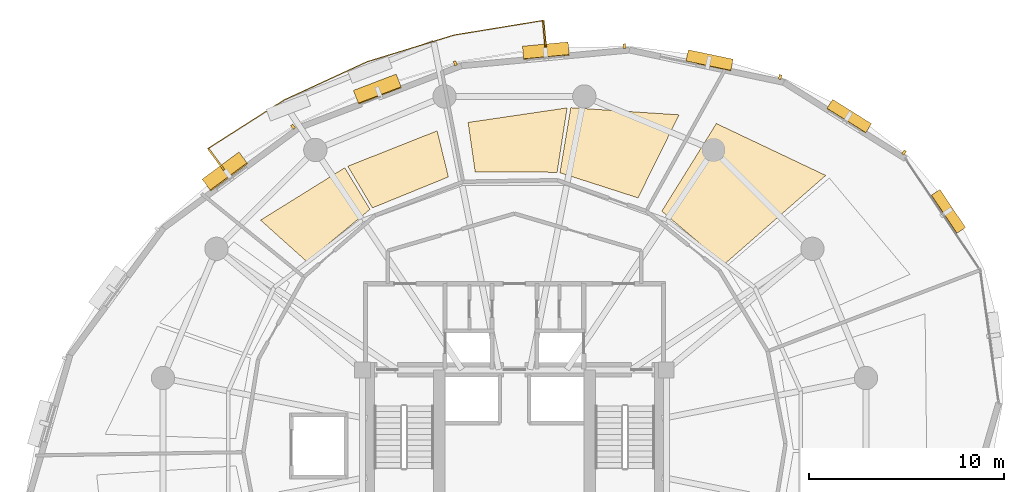
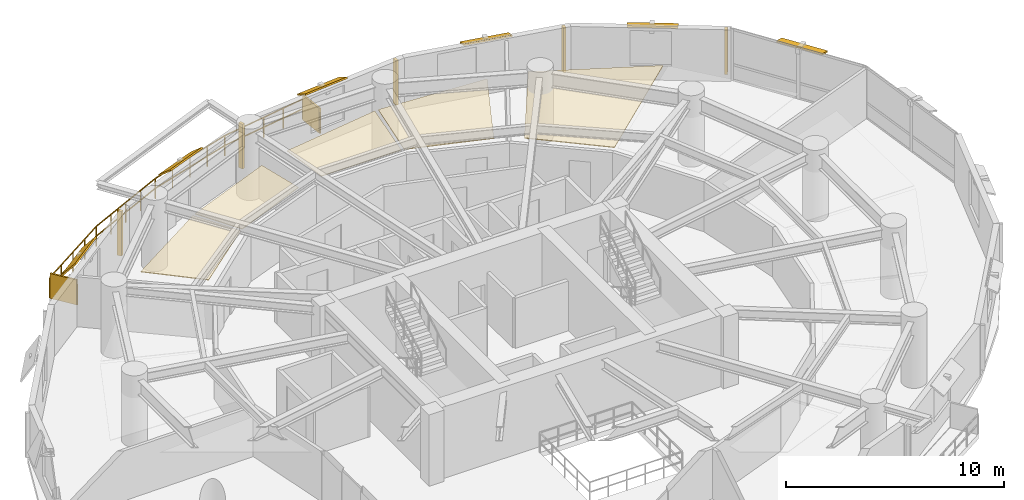
# One storey, part 15 of 15: 13 shading devices, 5 coverings, 1 railing.
"""IFC4 building model written with IfcOpenShell, lengths in metres."""

from ifc_helpers import new_model, si_unit, direction, frame, origin, origin_2d, place, context, subcontext, project, spatial, polyline, rectangle, outline, extrude, material, layer, layer_set, type_object, element, save


model = new_model("IFC4")

# Units and contexts
model_context = context("Model", 3, precision=1e-05, world=origin(), true_north=direction((0.0, 1.0)))
body_context = subcontext(model_context, "Body", "Model", "MODEL_VIEW")
ifc_project = project(units=[si_unit("LENGTHUNIT", "METRE"), si_unit("AREAUNIT", "SQUARE_METRE"), si_unit("VOLUMEUNIT", "CUBIC_METRE"), si_unit("PLANEANGLEUNIT", "RADIAN"), si_unit("MASSUNIT", "GRAM", prefix="KILO"), si_unit("THERMODYNAMICTEMPERATUREUNIT", "KELVIN"), si_unit("POWERUNIT", "WATT")], contexts=[model_context])

# Site, building, storey
site_placement = place(None, origin())
site = spatial("IfcSite", under=ifc_project, at=site_placement, CompositionType="ELEMENT")
building_placement = place(site_placement, origin())
building = spatial("IfcBuilding", under=site, at=building_placement, Name="Ocrelia Relay Tower", CompositionType="ELEMENT")
storey_placement = place(building_placement, frame((0.0, 0.0, 121.800048828125)))
storey = spatial("IfcBuildingStorey", under=building, at=storey_placement, Name="L28", CompositionType="ELEMENT", Elevation=121.800048828125)

# Coverings
ifc_material_1 = material(Name="Mineral-fiber acoustic ceiling tile", Category="gypsum")
ifc_layer_1 = layer(ifc_material_1, 0.0400390625, Name="Mineral-fiber acoustic ceiling tile")
ifc_layer_set_1 = layer_set([ifc_layer_1], Name="Mineral-fiber acoustic ceiling tile")
covering_type = type_object("IfcCoveringType", Name="COV-CEIL-ACOUSTIC", PredefinedType="CEILING", material=ifc_layer_set_1)
covering_1_placement = place(storey_placement, frame((0.0, 0.0, 2.719970703125)))
element("IfcCovering", 1, at=covering_1_placement, inside=storey, type_object=covering_type, Name="L28 Technical Reference Library Suspended Ceiling 2", PredefinedType="CEILING", context=body_context, shape_type="SweptSolid", body=[
    extrude(outline(polyline([(44.774658203125, 35.432373046875), (49.98193359375, 39.9912109375), (44.367431640625, 42.656005859375), (41.567138671875, 38.1572265625), (44.774658203125, 35.432373046875)])), origin(), (0.0, 0.0, 1.0), 0.0400390625),
])
covering_2_placement = place(storey_placement, frame((0.0, 0.0, 2.719970703125)))
element("IfcCovering", 2, at=covering_2_placement, inside=storey, type_object=covering_type, Name="L28 Acoustic Media Room Suspended Ceiling 1", PredefinedType="CEILING", context=body_context, shape_type="SweptSolid", body=[
    extrude(outline(polyline([(40.3447265625, 38.837646484375), (42.45263671875, 43.102783203125), (36.89208984375, 43.46923828125), (36.3388671875, 40.127685546875), (40.3447265625, 38.837646484375)])), origin(), (0.0, 0.0, 1.0), 0.0400390625),
])
covering_3_placement = place(storey_placement, frame((0.0, 0.0, 2.719970703125)))
element("IfcCovering", 3, at=covering_3_placement, inside=storey, type_object=covering_type, Name="L28 Acoustic Media Room Suspended Ceiling 2", PredefinedType="CEILING", context=body_context, shape_type="SweptSolid", body=[
    extrude(outline(polyline([(36.19091796875, 40.1513671875), (36.702880859375, 43.4599609375), (31.62158203125, 42.71240234375), (31.982421875, 40.177001953125), (36.19091796875, 40.1513671875)])), origin(), (0.0, 0.0, 1.0), 0.0400390625),
])
covering_4_placement = place(storey_placement, frame((0.0, 0.0, 2.719970703125)))
element("IfcCovering", 4, at=covering_4_placement, inside=storey, type_object=covering_type, Name="L28 Staff Wellness Room Suspended Ceiling 1", PredefinedType="CEILING", context=body_context, shape_type="SweptSolid", body=[
    extrude(outline(polyline([(30.6083984375, 39.91259765625), (30.03125, 42.280517578125), (25.446044921875, 40.4638671875), (26.71044921875, 38.32568359375), (30.6083984375, 39.91259765625)])), origin(), (0.0, 0.0, 1.0), 0.0400390625),
])
covering_5_placement = place(storey_placement, frame((0.0, 0.0, 2.719970703125)))
element("IfcCovering", 5, at=covering_5_placement, inside=storey, type_object=covering_type, Name="L28 Staff Wellness Room Suspended Ceiling 2", PredefinedType="CEILING", context=body_context, shape_type="SweptSolid", body=[
    extrude(outline(polyline([(26.581787109375, 38.248779296875), (25.288330078125, 40.384765625), (20.96484375, 37.69580078125), (23.341552734375, 35.5634765625), (26.581787109375, 38.248779296875)])), origin(), (0.0, 0.0, 1.0), 0.0400390625),
])

# Railing
ifc_material_2 = material(Name="Steel S355 balustrade", Category="steel")
railing_type = type_object("IfcRailingType", Name="RL-EXT-GUARD-1150", PredefinedType="GUARDRAIL", material=ifc_material_2)
railing_placement = place(storey_placement, frame((19.10107421875, 40.258056640625, 0.0)))
element("IfcRailing", 6, at=railing_placement, inside=storey, type_object=railing_type, Name="L28 Loggia Balcony Guard Rail B1", PredefinedType="GUARDRAIL", context=body_context, shape_type="SweptSolid", body=[
    extrude(rectangle(XDim=0.048095703125, YDim=0.048095703125, at=origin_2d()), frame((0.0, 0.0, 1.1259765625), z_axis=(-0.595730264824, 0.803184568809, 0.0), x_axis=(-0.803184568809, -0.595730264824, 0.0)), (0.0, 0.0, 1.0), 1.393310546875),
    extrude(rectangle(XDim=0.048095703125, YDim=0.048095703125, at=origin_2d()), frame((0.0, 0.0, 0.574951171875), z_axis=(-0.595730264824, 0.803184568809, 0.0), x_axis=(-0.803184568809, -0.595730264824, 0.0)), (0.0, 0.0, 1.0), 1.393310546875),
    extrude(rectangle(XDim=0.048095703125, YDim=0.048095703125, at=origin_2d()), frame((-0.830078125, 1.119140625, 1.1259765625), z_axis=(0.843196735798, 0.537605119711, 0.0), x_axis=(-0.537605119711, 0.843196735798, 0.0)), (0.0, 0.0, 1.0), 2.316162109375),
    extrude(rectangle(XDim=0.048095703125, YDim=0.048095703125, at=origin_2d()), frame((-0.830078125, 1.119140625, 0.574951171875), z_axis=(0.843196735798, 0.537605119711, 0.0), x_axis=(-0.537605119711, 0.843196735798, 0.0)), (0.0, 0.0, 1.0), 2.316162109375),
    extrude(rectangle(XDim=0.048095703125, YDim=0.048095703125, at=origin_2d()), frame((1.122802734375, 2.3642578125, 1.1259765625), z_axis=(0.843214055894, 0.537577953364, 0.0), x_axis=(-0.537577953364, 0.843214055894, 0.0)), (0.0, 0.0, 1.0), 2.315673828125),
    extrude(rectangle(XDim=0.048095703125, YDim=0.048095703125, at=origin_2d()), frame((1.122802734375, 2.3642578125, 0.574951171875), z_axis=(0.843214055894, 0.537577953364, 0.0), x_axis=(-0.537577953364, 0.843214055894, 0.0)), (0.0, 0.0, 1.0), 2.315673828125),
    extrude(rectangle(XDim=0.048095703125, YDim=0.048095703125, at=origin_2d()), frame((3.075439453125, 3.609130859375, 1.1259765625), z_axis=(0.908198832168, 0.418538984144, 0.0), x_axis=(-0.418538984144, 0.908198832168, 0.0)), (0.0, 0.0, 1.0), 4.682373046875),
    extrude(rectangle(XDim=0.048095703125, YDim=0.048095703125, at=origin_2d()), frame((3.075439453125, 3.609130859375, 0.574951171875), z_axis=(0.908198832168, 0.418538984144, 0.0), x_axis=(-0.418538984144, 0.908198832168, 0.0)), (0.0, 0.0, 1.0), 4.682373046875),
    extrude(rectangle(XDim=0.048095703125, YDim=0.048095703125, at=origin_2d()), frame((7.327880859375, 5.56884765625, 1.1259765625), z_axis=(0.956012101069, 0.293327227869, 0.0), x_axis=(-0.293327227869, 0.956012101069, 0.0)), (0.0, 0.0, 1.0), 4.681884765625),
    extrude(rectangle(XDim=0.048095703125, YDim=0.048095703125, at=origin_2d()), frame((7.327880859375, 5.56884765625, 0.574951171875), z_axis=(0.956012101069, 0.293327227869, 0.0), x_axis=(-0.293327227869, 0.956012101069, 0.0)), (0.0, 0.0, 1.0), 4.681884765625),
    extrude(rectangle(XDim=0.048095703125, YDim=0.048095703125, at=origin_2d()), frame((11.8037109375, 6.942138671875, 1.1259765625), z_axis=(0.986907551572, 0.161286963673, 0.0), x_axis=(-0.161286963673, 0.986907551572, 0.0)), (0.0, 0.0, 1.0), 2.31591796875),
    extrude(rectangle(XDim=0.048095703125, YDim=0.048095703125, at=origin_2d()), frame((11.8037109375, 6.942138671875, 0.574951171875), z_axis=(0.986907551572, 0.161286963673, 0.0), x_axis=(-0.161286963673, 0.986907551572, 0.0)), (0.0, 0.0, 1.0), 2.31591796875),
    extrude(rectangle(XDim=0.048095703125, YDim=0.048095703125, at=origin_2d()), frame((14.08935546875, 7.315673828125, 1.1259765625), z_axis=(0.986907551572, 0.161286963673, 0.0), x_axis=(-0.161286963673, 0.986907551572, 0.0)), (0.0, 0.0, 1.0), 2.31591796875),
    extrude(rectangle(XDim=0.048095703125, YDim=0.048095703125, at=origin_2d()), frame((14.08935546875, 7.315673828125, 0.574951171875), z_axis=(0.986907551572, 0.161286963673, 0.0), x_axis=(-0.161286963673, 0.986907551572, 0.0)), (0.0, 0.0, 1.0), 2.31591796875),
    extrude(rectangle(XDim=0.048095703125, YDim=0.048095703125, at=origin_2d()), frame((16.375, 7.689208984375, 1.1259765625), z_axis=(0.091451892446, -0.99580949552, 0.0), x_axis=(0.99580949552, 0.091451892446, 0.0)), (0.0, 0.0, 1.0), 1.3935546875),
    extrude(rectangle(XDim=0.048095703125, YDim=0.048095703125, at=origin_2d()), frame((16.375, 7.689208984375, 0.574951171875), z_axis=(0.091451892446, -0.99580949552, 0.0), x_axis=(0.99580949552, 0.091451892446, 0.0)), (0.0, 0.0, 1.0), 1.3935546875),
    extrude(rectangle(XDim=0.0419921875, YDim=0.0419921875, at=origin_2d()), origin(), (0.0, 0.0, 1.0), 1.101806640625),
    extrude(rectangle(XDim=0.0419921875, YDim=0.0419921875, at=origin_2d()), frame((-0.4150390625, 0.5595703125, 0.0)), (0.0, 0.0, 1.0), 1.101806640625),
    extrude(rectangle(XDim=0.0419921875, YDim=0.0419921875, at=origin_2d()), frame((-0.830078125, 1.119140625, 0.0)), (0.0, 0.0, 1.0), 1.101806640625),
    extrude(rectangle(XDim=0.0419921875, YDim=0.0419921875, at=origin_2d()), frame((0.146484375, 1.74169921875, 0.0)), (0.0, 0.0, 1.0), 1.101806640625),
    extrude(rectangle(XDim=0.0419921875, YDim=0.0419921875, at=origin_2d()), frame((1.122802734375, 2.3642578125, 0.0)), (0.0, 0.0, 1.0), 1.101806640625),
    extrude(rectangle(XDim=0.0419921875, YDim=0.0419921875, at=origin_2d()), frame((2.09912109375, 2.98681640625, 0.0)), (0.0, 0.0, 1.0), 1.101806640625),
    extrude(rectangle(XDim=0.0419921875, YDim=0.0419921875, at=origin_2d()), frame((3.075439453125, 3.609130859375, 0.0)), (0.0, 0.0, 1.0), 1.101806640625),
    extrude(rectangle(XDim=0.0419921875, YDim=0.0419921875, at=origin_2d()), frame((4.138671875, 4.09912109375, 0.0)), (0.0, 0.0, 1.0), 1.101806640625),
    extrude(rectangle(XDim=0.0419921875, YDim=0.0419921875, at=origin_2d()), frame((5.20166015625, 4.5888671875, 0.0)), (0.0, 0.0, 1.0), 1.101806640625),
    extrude(rectangle(XDim=0.0419921875, YDim=0.0419921875, at=origin_2d()), frame((6.2646484375, 5.078857421875, 0.0)), (0.0, 0.0, 1.0), 1.101806640625),
    extrude(rectangle(XDim=0.0419921875, YDim=0.0419921875, at=origin_2d()), frame((7.327880859375, 5.56884765625, 0.0)), (0.0, 0.0, 1.0), 1.101806640625),
    extrude(rectangle(XDim=0.0419921875, YDim=0.0419921875, at=origin_2d()), frame((8.44677734375, 5.912109375, 0.0)), (0.0, 0.0, 1.0), 1.101806640625),
    extrude(rectangle(XDim=0.0419921875, YDim=0.0419921875, at=origin_2d()), frame((9.56591796875, 6.25537109375, 0.0)), (0.0, 0.0, 1.0), 1.101806640625),
    extrude(rectangle(XDim=0.0419921875, YDim=0.0419921875, at=origin_2d()), frame((10.684814453125, 6.598876953125, 0.0)), (0.0, 0.0, 1.0), 1.101806640625),
    extrude(rectangle(XDim=0.0419921875, YDim=0.0419921875, at=origin_2d()), frame((11.8037109375, 6.942138671875, 0.0)), (0.0, 0.0, 1.0), 1.101806640625),
    extrude(rectangle(XDim=0.0419921875, YDim=0.0419921875, at=origin_2d()), frame((12.946533203125, 7.12890625, 0.0)), (0.0, 0.0, 1.0), 1.101806640625),
    extrude(rectangle(XDim=0.0419921875, YDim=0.0419921875, at=origin_2d()), frame((14.08935546875, 7.315673828125, 0.0)), (0.0, 0.0, 1.0), 1.101806640625),
    extrude(rectangle(XDim=0.0419921875, YDim=0.0419921875, at=origin_2d()), frame((15.232177734375, 7.50244140625, 0.0)), (0.0, 0.0, 1.0), 1.101806640625),
    extrude(rectangle(XDim=0.0419921875, YDim=0.0419921875, at=origin_2d()), frame((16.375, 7.689208984375, 0.0)), (0.0, 0.0, 1.0), 1.101806640625),
    extrude(rectangle(XDim=0.0419921875, YDim=0.0419921875, at=origin_2d()), frame((16.438720703125, 6.995361328125, 0.0)), (0.0, 0.0, 1.0), 1.101806640625),
    extrude(rectangle(XDim=0.0419921875, YDim=0.0419921875, at=origin_2d()), frame((16.50244140625, 6.301513671875, 0.0)), (0.0, 0.0, 1.0), 1.101806640625),
])

# Shading devices
ifc_material_3 = material(Name="Perforated oxide terracotta solar screen", Category="masonry")
ifc_layer_2 = layer(ifc_material_3, 0.090087890625, Name="Perforated oxide terracotta solar screen")
ifc_layer_set_2 = layer_set([ifc_layer_2], Name="Perforated oxide terracotta solar screen")
shading_device_type_1 = type_object("IfcShadingDeviceType", Name="SH-BALC-SCREEN", PredefinedType="USERDEFINED", material=ifc_layer_set_2)
for number, where, z_axis, x_axis, name in (
    (7, (35.539794921875, 47.25341796875, 0.0), (0.0, 0.0, 1.0), (-0.091422121493, 0.995812229138, 0.0), "L28 Balcony Perforated Terracotta Screen B1-1"),
    (8, (18.68603515625, 40.817626953125, 0.0), (0.0, 0.0, 1.0), (-0.595639367279, 0.803251980482, 0.0), "L28 Balcony Perforated Terracotta Screen B1-2"),
):
    element("IfcShadingDevice", number, at=place(storey_placement, frame(where, z_axis=z_axis, x_axis=x_axis)), inside=storey, type_object=shading_device_type_1, Name=name, ObjectType="SCREEN", PredefinedType="USERDEFINED", context=body_context, shape_type="SweptSolid", body=[
        extrude(rectangle(XDim=1.340087890625, YDim=0.090087890625, at=origin_2d()), origin(), (0.0, 0.0, 1.0), 1.39990234375),
    ])
ifc_material_4 = material(Name="Extruded oxide terracotta vertical baguette", Category="masonry")
shading_device_type_2 = type_object("IfcShadingDeviceType", Name="SH-TERR-BAGUETTE", PredefinedType="USERDEFINED", material=ifc_material_4)
for number, where, z_axis, x_axis, name in (
    (9, (54.000732421875, 41.16650390625, 0.199951171875), (0.0, 0.0, 1.0), (-0.84730591925, 0.531105148914, 0.0), "L28 Oxide Terracotta Vertical Baguette 02"),
    (10, (47.63818359375, 45.039794921875, 0.199951171875), (0.0, 0.0, 1.0), (-0.978803181401, 0.204803154465, 0.0), "L28 Oxide Terracotta Vertical Baguette 03"),
    (11, (39.64208984375, 46.630126953125, 0.199951171875), (0.0, 0.0, 1.0), (-0.995678781799, -0.092864220641, 0.0), "L28 Oxide Terracotta Vertical Baguette 04"),
    (12, (30.960693359375, 45.747314453125, 0.199951171875), (0.0, 0.0, 1.0), (-0.934203597338, -0.356740295903, 0.0), "L28 Oxide Terracotta Vertical Baguette 05"),
    (13, (22.631591796875, 42.48876953125, 0.199951171875), (0.0, 0.0, 1.0), (-0.804153616363, -0.594421535016, 0.0), "L28 Oxide Terracotta Vertical Baguette 06"),
):
    element("IfcShadingDevice", number, at=place(storey_placement, frame(where, z_axis=z_axis, x_axis=x_axis)), inside=storey, type_object=shading_device_type_2, Name=name, ObjectType="BAGUETTE", PredefinedType="USERDEFINED", context=body_context, shape_type="SweptSolid", body=[
        extrude(rectangle(XDim=0.139892578125, YDim=0.239990234375, at=origin_2d()), origin(), (0.0, 0.0, 1.0), 2.5),
    ])
ifc_material_5 = material(Name="Extruded oxide terracotta fin", Category="masonry")
ifc_layer_3 = layer(ifc_material_5, 0.080078125, Name="Extruded oxide terracotta fin")
ifc_layer_set_3 = layer_set([ifc_layer_3], Name="Extruded oxide terracotta fin")
shading_device_type_3 = type_object("IfcShadingDeviceType", Name="SH-VISOR-FIN-MED", PredefinedType="USERDEFINED", material=ifc_layer_set_3)
shading_device_1_placement = place(storey_placement, frame((26.974365234375, 44.3984375, 2.70947265625), z_axis=(-0.230640991348, 0.603984596879, 0.762894055451), x_axis=(-0.934203597338, -0.356740295903, 0.0)))
element("IfcShadingDevice", 14, at=shading_device_1_placement, inside=storey, type_object=shading_device_type_3, Name="L28 Canted Terracotta Sun-Visor Fin 05", ObjectType="FIN", PredefinedType="USERDEFINED", context=body_context, shape_type="SweptSolid", body=[
    extrude(rectangle(XDim=2.35009765625, YDim=0.9208984375, at=origin_2d()), origin(), (0.0, 0.0, 1.0), 0.080078125),
])
shading_device_2_placement = place(storey_placement, frame((19.155029296875, 40.166015625, 2.714599609375), z_axis=(-0.460184354701, 0.622553005279, 0.632975604037), x_axis=(-0.804153616363, -0.594421535016, 0.0)))
element("IfcShadingDevice", 15, at=shading_device_2_placement, inside=storey, type_object=shading_device_type_3, Name="L28 Canted Terracotta Sun-Visor Fin 06", ObjectType="FIN", PredefinedType="USERDEFINED", context=body_context, shape_type="SweptSolid", body=[
    extrude(rectangle(XDim=2.35009765625, YDim=1.094970703125, at=origin_2d()), origin(), (0.0, 0.0, 1.0), 0.080078125),
])
ifc_layer_4 = layer(ifc_material_5, 0.080078125, Name="Extruded oxide terracotta fin")
ifc_layer_set_4 = layer_set([ifc_layer_4], Name="Extruded oxide terracotta fin")
shading_device_type_4 = type_object("IfcShadingDeviceType", Name="SH-VISOR-FIN-SHAL", PredefinedType="USERDEFINED", material=ifc_layer_set_4)
shading_device_3_placement = place(storey_placement, frame((56.264404296875, 38.132080078125, 2.701904296875), z_axis=(0.257269850504, 0.17267681394, 0.950786485994), x_axis=(-0.5572973393, 0.830312998579, 0.0)))
element("IfcShadingDevice", 16, at=shading_device_3_placement, inside=storey, type_object=shading_device_type_4, Name="L28 Canted Terracotta Sun-Visor Fin 01", ObjectType="FIN", PredefinedType="USERDEFINED", context=body_context, shape_type="SweptSolid", body=[
    extrude(rectangle(XDim=2.35009765625, YDim=0.551025390625, at=origin_2d()), origin(), (0.0, 0.0, 1.0), 0.080078125),
])
shading_device_4_placement = place(storey_placement, frame((51.174560546875, 43.01953125, 2.7021484375), z_axis=(0.176499917066, 0.281581575292, 0.943164670528), x_axis=(-0.84730591925, 0.531105148914, 0.0)))
element("IfcShadingDevice", 17, at=shading_device_4_placement, inside=storey, type_object=shading_device_type_4, Name="L28 Canted Terracotta Sun-Visor Fin 02", ObjectType="FIN", PredefinedType="USERDEFINED", context=body_context, shape_type="SweptSolid", body=[
    extrude(rectangle(XDim=2.35009765625, YDim=0.573974609375, at=origin_2d()), origin(), (0.0, 0.0, 1.0), 0.080078125),
])
shading_device_5_placement = place(storey_placement, frame((44.01318359375, 45.881103515625, 2.703125), z_axis=(0.08054910853, 0.384963424484, 0.919410138581), x_axis=(-0.978803181401, 0.204803154465, 0.0)))
element("IfcShadingDevice", 18, at=shading_device_5_placement, inside=storey, type_object=shading_device_type_4, Name="L28 Canted Terracotta Sun-Visor Fin 03", ObjectType="FIN", PredefinedType="USERDEFINED", context=body_context, shape_type="SweptSolid", body=[
    extrude(rectangle(XDim=2.35009765625, YDim=0.635986328125, at=origin_2d()), origin(), (0.0, 0.0, 1.0), 0.080078125),
])
shading_device_6_placement = place(storey_placement, frame((35.615966796875, 46.370361328125, 2.705322265625), z_axis=(-0.046670524764, 0.500395641314, 0.864538064097), x_axis=(-0.995678781799, -0.092864220641, 0.0)))
element("IfcShadingDevice", 19, at=shading_device_6_placement, inside=storey, type_object=shading_device_type_4, Name="L28 Canted Terracotta Sun-Visor Fin 04", ObjectType="FIN", PredefinedType="USERDEFINED", context=body_context, shape_type="SweptSolid", body=[
    extrude(rectangle(XDim=2.35009765625, YDim=0.7529296875, at=origin_2d()), origin(), (0.0, 0.0, 1.0), 0.080078125),
])

save(model, "model.ifc")
